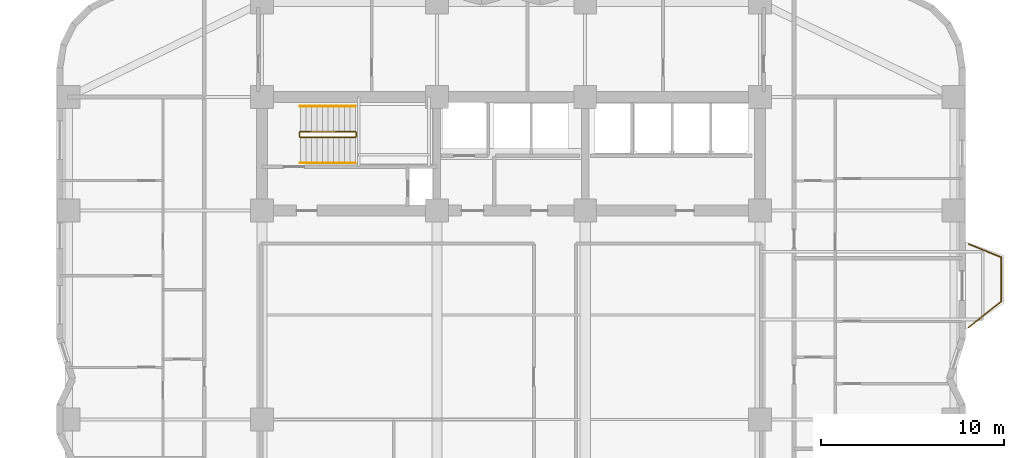
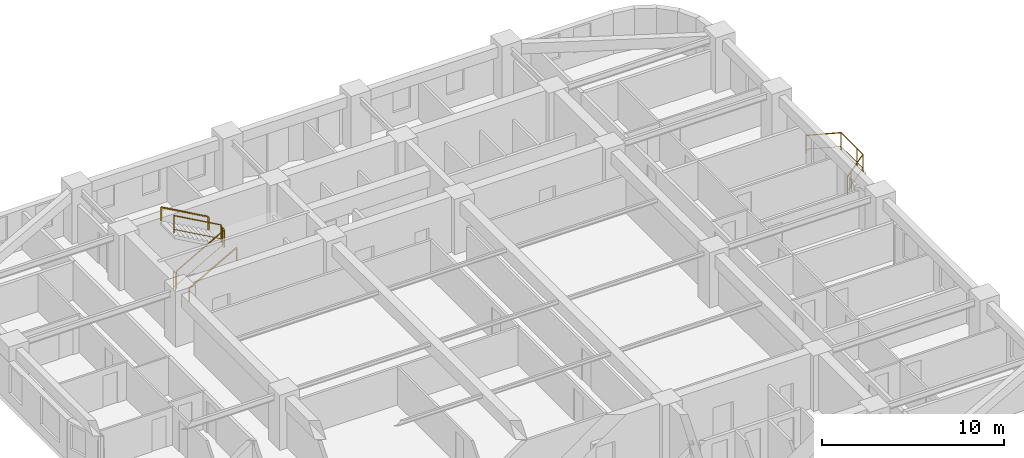
# One storey, part 9 of 9: 7 railings.
"""IFC4 building model written with IfcOpenShell, lengths in metres."""

from ifc_helpers import new_model, si_unit, direction, frame, origin, origin_2d, place, context, subcontext, project, spatial, rectangle, extrude, material, type_object, element, save


model = new_model("IFC4")

# Units and contexts
model_context = context("Model", 3, precision=1e-05, world=origin(), true_north=direction((0.0, 1.0)))
body_context = subcontext(model_context, "Body", "Model", "MODEL_VIEW")
ifc_project = project(units=[si_unit("LENGTHUNIT", "METRE"), si_unit("AREAUNIT", "SQUARE_METRE"), si_unit("VOLUMEUNIT", "CUBIC_METRE"), si_unit("PLANEANGLEUNIT", "RADIAN"), si_unit("MASSUNIT", "GRAM", prefix="KILO")], contexts=[model_context])

# Site, building, storey
site_placement = place(None, origin())
site = spatial("IfcSite", under=ifc_project, at=site_placement, CompositionType="ELEMENT")
building_placement = place(site_placement, origin())
building = spatial("IfcBuilding", under=site, at=building_placement, Name="Svetorya Sky Lyceum", CompositionType="ELEMENT")
storey_placement = place(building_placement, frame((0.0, 0.0, 62.10009765625)))
storey = spatial("IfcBuildingStorey", under=building, at=storey_placement, Name="L15", CompositionType="ELEMENT", Elevation=62.10009765625)

# Railings
ifc_material_1 = material(Name="Laminated safety glass and stainless AISI 316", Category="glass")
railing_type_1 = type_object("IfcRailingType", Name="RL-BAL-1200", PredefinedType="BALUSTRADE", material=ifc_material_1)
railing_1_placement = place(storey_placement, frame((64.169921875, 37.780029296875, 0.0)))
element("IfcRailing", 1, at=railing_1_placement, inside=storey, type_object=railing_type_1, Name="L15 Balcony Balustrade BAL-E1", PredefinedType="BALUSTRADE", context=body_context, shape_type="SweptSolid", body=[
    extrude(rectangle(XDim=0.048095703125, YDim=0.048095703125, at=origin_2d()), frame((0.0, 0.0, 1.17578125), z_axis=(0.926697865975, -0.375807218129, 0.0), x_axis=(0.375807218129, 0.926697865975, 0.0)), (0.0, 0.0, 1.0), 1.9423828125),
    extrude(rectangle(XDim=0.02392578125, YDim=0.02392578125, at=origin_2d()), frame((0.0, 0.0, 0.25), z_axis=(0.926697865975, -0.375807218129, 0.0), x_axis=(0.375807218129, 0.926697865975, 0.0)), (0.0, 0.0, 1.0), 1.9423828125),
    extrude(rectangle(XDim=0.048095703125, YDim=0.048095703125, at=origin_2d()), frame((1.800048828125, -0.72998046875, 1.17578125), z_axis=(0.0, -1.0, 0.0), x_axis=(1.0, 0.0, 0.0)), (0.0, 0.0, 1.0), 2.400146484375),
    extrude(rectangle(XDim=0.02392578125, YDim=0.02392578125, at=origin_2d()), frame((1.800048828125, -0.72998046875, 0.25), z_axis=(0.0, -1.0, 0.0), x_axis=(1.0, 0.0, 0.0)), (0.0, 0.0, 1.0), 2.400146484375),
    extrude(rectangle(XDim=0.048095703125, YDim=0.048095703125, at=origin_2d()), frame((1.800048828125, -3.130126953125, 1.17578125), z_axis=(-0.783008919264, -0.622010476079, 0.0), x_axis=(0.622010476079, -0.783008919264, 0.0)), (0.0, 0.0, 1.0), 2.298828125),
    extrude(rectangle(XDim=0.02392578125, YDim=0.02392578125, at=origin_2d()), frame((1.800048828125, -3.130126953125, 0.25), z_axis=(-0.783008919264, -0.622010476079, 0.0), x_axis=(0.622010476079, -0.783008919264, 0.0)), (0.0, 0.0, 1.0), 2.298828125),
    extrude(rectangle(XDim=0.0419921875, YDim=0.0419921875, at=origin_2d()), origin(), (0.0, 0.0, 1.0), 1.15185546875),
    extrude(rectangle(XDim=0.0419921875, YDim=0.0419921875, at=origin_2d()), frame((1.800048828125, -0.72998046875, 0.0)), (0.0, 0.0, 1.0), 1.15185546875),
    extrude(rectangle(XDim=0.0419921875, YDim=0.0419921875, at=origin_2d()), frame((1.800048828125, -2.47998046875, 0.0)), (0.0, 0.0, 1.0), 1.15185546875),
    extrude(rectangle(XDim=0.0419921875, YDim=0.0419921875, at=origin_2d()), frame((1.800048828125, -3.130126953125, 0.0)), (0.0, 0.0, 1.0), 1.15185546875),
    extrude(rectangle(XDim=0.0419921875, YDim=0.0419921875, at=origin_2d()), frame((0.4296875, -4.21875, 0.0)), (0.0, 0.0, 1.0), 1.15185546875),
    extrude(rectangle(XDim=0.0419921875, YDim=0.0419921875, at=origin_2d()), frame((0.0, -4.56005859375, 0.0)), (0.0, 0.0, 1.0), 1.15185546875),
])
ifc_material_2 = material(Name="Painted galvanized stair well guard")
railing_type_2 = type_object("IfcRailingType", Name="RL-STR-GUARD-1200", PredefinedType="GUARDRAIL", material=ifc_material_2)
railing_2_placement = place(storey_placement, frame((27.699951171875, 43.60009765625, 0.16796875)))
element("IfcRailing", 2, at=railing_2_placement, inside=storey, type_object=railing_type_2, Name="L15 ST-N stair guard 1", PredefinedType="GUARDRAIL", context=body_context, shape_type="SweptSolid", body=[
    extrude(rectangle(XDim=0.048095703125, YDim=0.048095703125, at=origin_2d()), frame((0.0, 0.0, 1.17578125), z_axis=(0.872272294576, 0.0, 0.489020494575), x_axis=(0.0, 1.0, 0.0)), (0.0, 0.0, 1.0), 3.439208984375),
    extrude(rectangle(XDim=0.02392578125, YDim=0.02392578125, at=origin_2d()), frame((0.0, 0.0, 0.25), z_axis=(0.872272294576, 0.0, 0.489020494575), x_axis=(0.0, 1.0, 0.0)), (0.0, 0.0, 1.0), 3.439208984375),
    extrude(rectangle(XDim=0.0419921875, YDim=0.0419921875, at=origin_2d()), origin(), (0.0, 0.0, 1.0), 1.15185546875),
    extrude(rectangle(XDim=0.0419921875, YDim=0.0419921875, at=origin_2d()), frame((3.0, 0.0, 1.681884765625)), (0.0, 0.0, 1.0), 1.15185546875),
])
railing_3_placement = place(storey_placement, frame((30.75, 43.64990234375, 1.849853515625)))
element("IfcRailing", 3, at=railing_3_placement, inside=storey, type_object=railing_type_2, Name="L15 ST-N stair guard 2", PredefinedType="GUARDRAIL", context=body_context, shape_type="SweptSolid", body=[
    extrude(rectangle(XDim=0.048095703125, YDim=0.048095703125, at=origin_2d()), frame((0.0, 0.0, 1.17578125), z_axis=(0.0, 1.0, 0.0), x_axis=(-1.0, 0.0, 0.0)), (0.0, 0.0, 1.0), 0.2001953125),
    extrude(rectangle(XDim=0.02392578125, YDim=0.02392578125, at=origin_2d()), frame((0.0, 0.0, 0.25), z_axis=(0.0, 1.0, 0.0), x_axis=(-1.0, 0.0, 0.0)), (0.0, 0.0, 1.0), 0.2001953125),
    extrude(rectangle(XDim=0.0419921875, YDim=0.0419921875, at=origin_2d()), origin(), (0.0, 0.0, 1.0), 1.15185546875),
    extrude(rectangle(XDim=0.0419921875, YDim=0.0419921875, at=origin_2d()), frame((0.0, 0.2001953125, 0.0)), (0.0, 0.0, 1.0), 1.15185546875),
])
railing_4_placement = place(storey_placement, frame((30.699951171875, 43.89990234375, 2.01806640625)))
element("IfcRailing", 4, at=railing_4_placement, inside=storey, type_object=railing_type_2, Name="L15 ST-N stair guard 3", PredefinedType="GUARDRAIL", context=body_context, shape_type="SweptSolid", body=[
    extrude(rectangle(XDim=0.048095703125, YDim=0.048095703125, at=origin_2d()), frame((0.0, 0.0, 1.17578125), z_axis=(-0.872272294576, 0.0, 0.489020494575), x_axis=(0.0, -1.0, 0.0)), (0.0, 0.0, 1.0), 3.439208984375),
    extrude(rectangle(XDim=0.02392578125, YDim=0.02392578125, at=origin_2d()), frame((0.0, 0.0, 0.25), z_axis=(-0.872272294576, 0.0, 0.489020494575), x_axis=(0.0, -1.0, 0.0)), (0.0, 0.0, 1.0), 3.439208984375),
    extrude(rectangle(XDim=0.0419921875, YDim=0.0419921875, at=origin_2d()), origin(), (0.0, 0.0, 1.0), 1.15185546875),
    extrude(rectangle(XDim=0.0419921875, YDim=0.0419921875, at=origin_2d()), frame((-3.0, 0.0, 1.681884765625)), (0.0, 0.0, 1.0), 1.15185546875),
])
railing_5_placement = place(storey_placement, frame((27.64990234375, 43.64990234375, 0.0)))
element("IfcRailing", 5, at=railing_5_placement, inside=storey, type_object=railing_type_2, Name="L15 ST-N stair guard 4", PredefinedType="GUARDRAIL", context=body_context, shape_type="SweptSolid", body=[
    extrude(rectangle(XDim=0.048095703125, YDim=0.048095703125, at=origin_2d()), frame((0.0, 0.0, 1.17578125), z_axis=(0.0, 1.0, 0.0), x_axis=(-1.0, 0.0, 0.0)), (0.0, 0.0, 1.0), 0.2001953125),
    extrude(rectangle(XDim=0.02392578125, YDim=0.02392578125, at=origin_2d()), frame((0.0, 0.0, 0.25), z_axis=(0.0, 1.0, 0.0), x_axis=(-1.0, 0.0, 0.0)), (0.0, 0.0, 1.0), 0.2001953125),
    extrude(rectangle(XDim=0.0419921875, YDim=0.0419921875, at=origin_2d()), origin(), (0.0, 0.0, 1.0), 1.15185546875),
    extrude(rectangle(XDim=0.0419921875, YDim=0.0419921875, at=origin_2d()), frame((0.0, 0.2001953125, 0.0)), (0.0, 0.0, 1.0), 1.15185546875),
])
ifc_material_3 = material(Name="Brushed stainless AISI 304 stair handrail")
railing_type_3 = type_object("IfcRailingType", Name="RL-STR-HAND-920", PredefinedType="HANDRAIL", material=ifc_material_3)
railing_6_placement = place(storey_placement, frame((27.699951171875, 42.199951171875, 0.16796875)))
element("IfcRailing", 6, at=railing_6_placement, inside=storey, type_object=railing_type_3, Name="L15 ST-N stair handrail 1", PredefinedType="HANDRAIL", context=body_context, shape_type="SweptSolid", body=[
    extrude(rectangle(XDim=0.048095703125, YDim=0.048095703125, at=origin_2d()), frame((0.0, 0.0, 0.8759765625), z_axis=(0.872272294576, 0.0, 0.489020494575), x_axis=(0.0, 1.0, 0.0)), (0.0, 0.0, 1.0), 3.439208984375),
    extrude(rectangle(XDim=0.0419921875, YDim=0.0419921875, at=origin_2d()), origin(), (0.0, 0.0, 1.0), 0.851806640625),
    extrude(rectangle(XDim=0.0419921875, YDim=0.0419921875, at=origin_2d()), frame((3.0, 0.0, 1.681884765625)), (0.0, 0.0, 1.0), 0.851806640625),
])
railing_7_placement = place(storey_placement, frame((30.699951171875, 45.300048828125, 2.01806640625)))
element("IfcRailing", 7, at=railing_7_placement, inside=storey, type_object=railing_type_3, Name="L15 ST-N stair handrail 2", PredefinedType="HANDRAIL", context=body_context, shape_type="SweptSolid", body=[
    extrude(rectangle(XDim=0.048095703125, YDim=0.048095703125, at=origin_2d()), frame((0.0, 0.0, 0.8759765625), z_axis=(-0.872272294576, 0.0, 0.489020494575), x_axis=(0.0, -1.0, 0.0)), (0.0, 0.0, 1.0), 3.439208984375),
    extrude(rectangle(XDim=0.0419921875, YDim=0.0419921875, at=origin_2d()), origin(), (0.0, 0.0, 1.0), 0.851806640625),
    extrude(rectangle(XDim=0.0419921875, YDim=0.0419921875, at=origin_2d()), frame((-3.0, 0.0, 1.681884765625)), (0.0, 0.0, 1.0), 0.851806640625),
])

save(model, "model.ifc")
